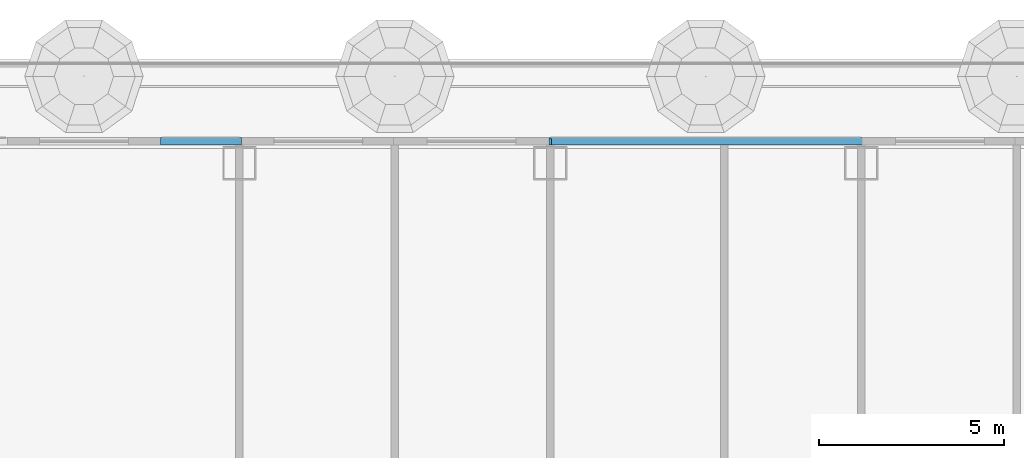
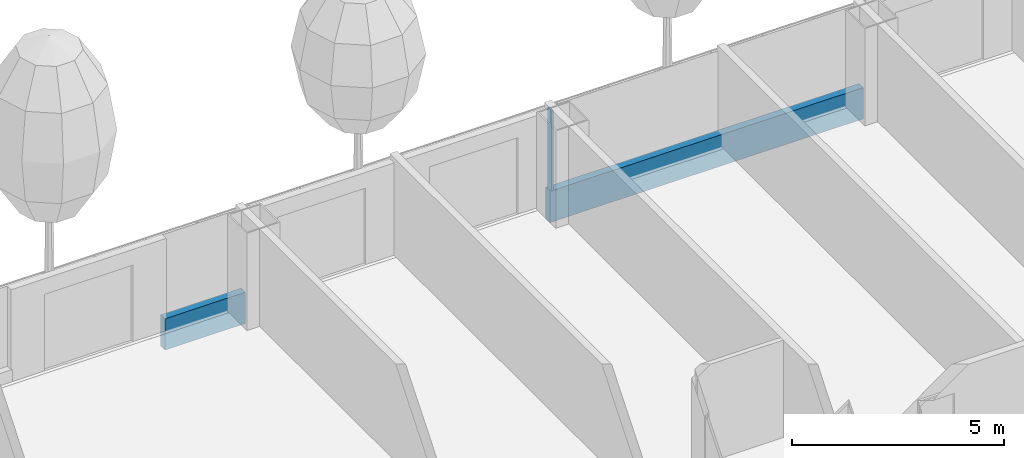
# One storey, part 7 of 36: 3 members, 1 element without a shape of its own.
"""IFC4 building model written with IfcOpenShell, lengths in metres."""

from ifc_helpers import new_model, si_unit, direction, frame, origin, origin_2d, place, context, subcontext, project, spatial, rectangle, extrude, material, layer, layer_set, material_profile, profile_set, type_object, element, aggregate, save


model = new_model("IFC4")

# Units and contexts
model_context = context("Model", 3, precision=1e-05, world=origin(), true_north=direction((0.0, 1.0)))
body_context = subcontext(model_context, "Body", "Model", "MODEL_VIEW")
ifc_project = project(units=[si_unit("LENGTHUNIT", "METRE"), si_unit("AREAUNIT", "SQUARE_METRE"), si_unit("VOLUMEUNIT", "CUBIC_METRE"), si_unit("PLANEANGLEUNIT", "RADIAN"), si_unit("MASSUNIT", "GRAM", prefix="KILO")], contexts=[model_context])

# Site, building, storey
site_placement = place(None, origin())
site = spatial("IfcSite", under=ifc_project, at=site_placement, CompositionType="ELEMENT")
building_placement = place(site_placement, origin())
building = spatial("IfcBuilding", under=site, at=building_placement, Name="Hakoniwa Tower and Hamabe Station Hall", CompositionType="ELEMENT")
storey_placement = place(building_placement, frame((0.0, 0.0, 26.199951171875)))
storey = spatial("IfcBuildingStorey", under=building, at=storey_placement, Name="L06", CompositionType="ELEMENT", Elevation=26.199951171875)

# Curtain wall, members
ifc_material_1 = material(Name="Dark low-e laminated glass", Category="glass")
ifc_layer = layer(ifc_material_1, 0.199951171875)
ifc_layer_set = layer_set([ifc_layer], Name="CW-1 UNITISED GUEST")
curtain_wall_type = type_object("IfcCurtainWallType", Name="CW-1 UNITISED GUEST", PredefinedType="NOTDEFINED", material=ifc_layer_set)
curtain_wall_placement = place(storey_placement, origin())
curtain_wall = element("IfcCurtainWall", 1, at=curtain_wall_placement, inside=storey, type_object=curtain_wall_type, Name="CW-1 curtain wall", PredefinedType="NOTDEFINED")
ifc_material_2 = material(Name="Aluminium 6063-T5 black anodised", Category="aluminium")
ifc_material_profile_1 = material_profile(ifc_material_2, rectangle(XDim=0.199951171875, YDim=0.89990234375, at=origin_2d()), Name="CW SLAB-EDGE BAND 900X200")
ifc_profile_set_1 = profile_set([ifc_material_profile_1], Name="Aluminium 6063-T5 black anodised")
member_type_1 = type_object("IfcMemberType", Name="CW SLAB-EDGE BAND 900X200", PredefinedType="USERDEFINED", material=ifc_profile_set_1)
member_1_placement = place(storey_placement, frame((8.4599609375, 20.199951171875, -0.099853515625), z_axis=(-1.0, 0.0, 0.0), x_axis=(0.0, -1.0, 0.0)))
member_1 = element("IfcMember", 2, at=member_1_placement, type_object=member_type_1, Name="CW-1 transom", ObjectType="TRANSOM", PredefinedType="USERDEFINED", context=body_context, shape_type="SweptSolid", body=[
    extrude(rectangle(XDim=0.199951171875, YDim=0.89990234375, at=origin_2d()), origin(), (0.0, 0.0, 1.0), 8.52001953125),
])
member_2_placement = place(storey_placement, frame((-8.340087890625, 20.199951171875, -0.099853515625), z_axis=(-1.0, 0.0, 0.0), x_axis=(0.0, -1.0, 0.0)))
member_2 = element("IfcMember", 3, at=member_2_placement, type_object=member_type_1, Name="CW-1 transom", ObjectType="TRANSOM", PredefinedType="USERDEFINED", context=body_context, shape_type="SweptSolid", body=[
    extrude(rectangle(XDim=0.199951171875, YDim=0.89990234375, at=origin_2d()), origin(), (0.0, 0.0, 1.0), 2.18994140625),
])
ifc_material_3 = material(Name="Aluminium 6063-T5 black anodised", Category="aluminium")
ifc_material_profile_2 = material_profile(ifc_material_3, rectangle(XDim=0.06005859375, YDim=0.179931640625, at=origin_2d()), Name="CW-1 MULLION 60X180")
ifc_profile_set_2 = profile_set([ifc_material_profile_2], Name="Aluminium 6063-T5 black anodised")
member_type_2 = type_object("IfcMemberType", Name="CW-1 MULLION 60X180", PredefinedType="MULLION", material=ifc_profile_set_2)
member_3_placement = place(storey_placement, frame((0.0, 20.181884765625, 0.35009765625), z_axis=(0.0, 0.0, 1.0), x_axis=(-1.0, 0.0, 0.0)))
member_3 = element("IfcMember", 4, at=member_3_placement, type_object=member_type_2, Name="CW-1 mullion", PredefinedType="MULLION", context=body_context, shape_type="SweptSolid", body=[
    extrude(rectangle(XDim=0.06005859375, YDim=0.179931640625, at=origin_2d()), origin(), (0.0, 0.0, 1.0), 2.300048828125),
])
aggregate(curtain_wall, [member_3, member_1, member_2])

save(model, "model.ifc")
